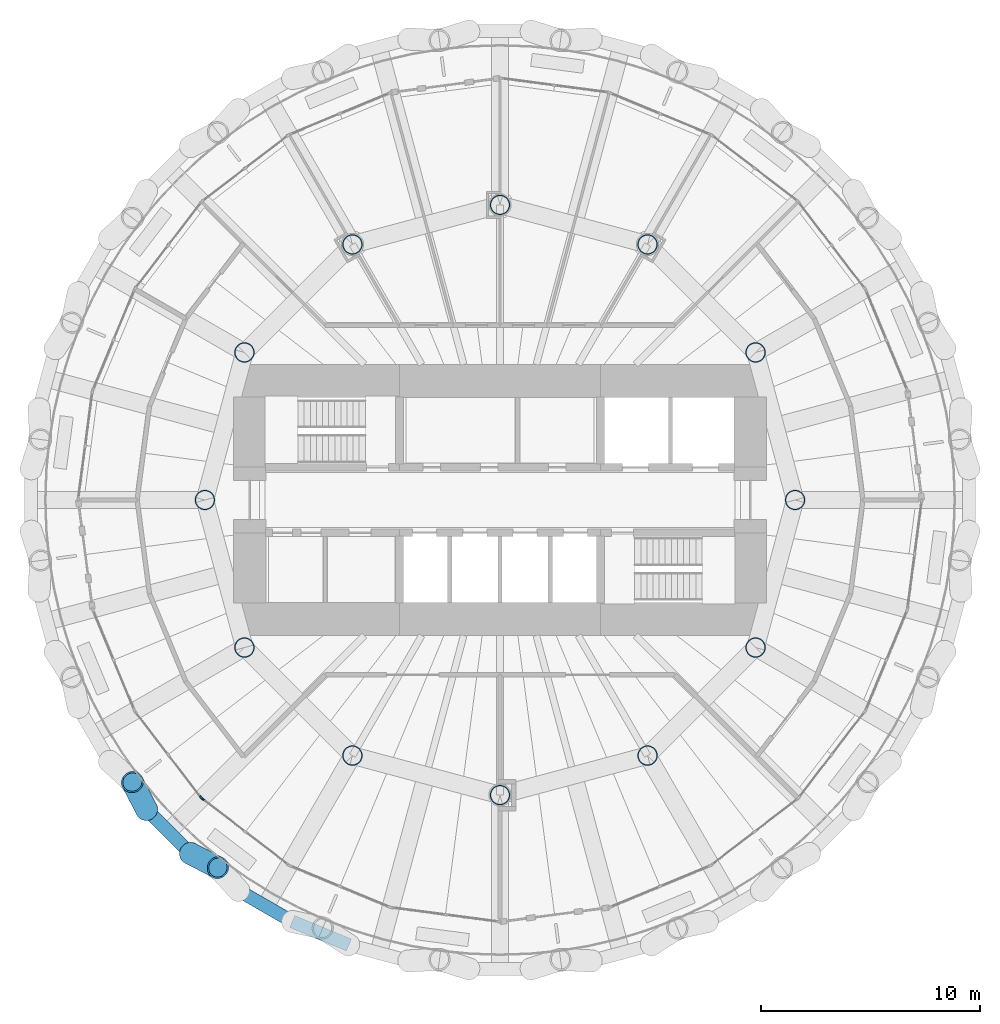
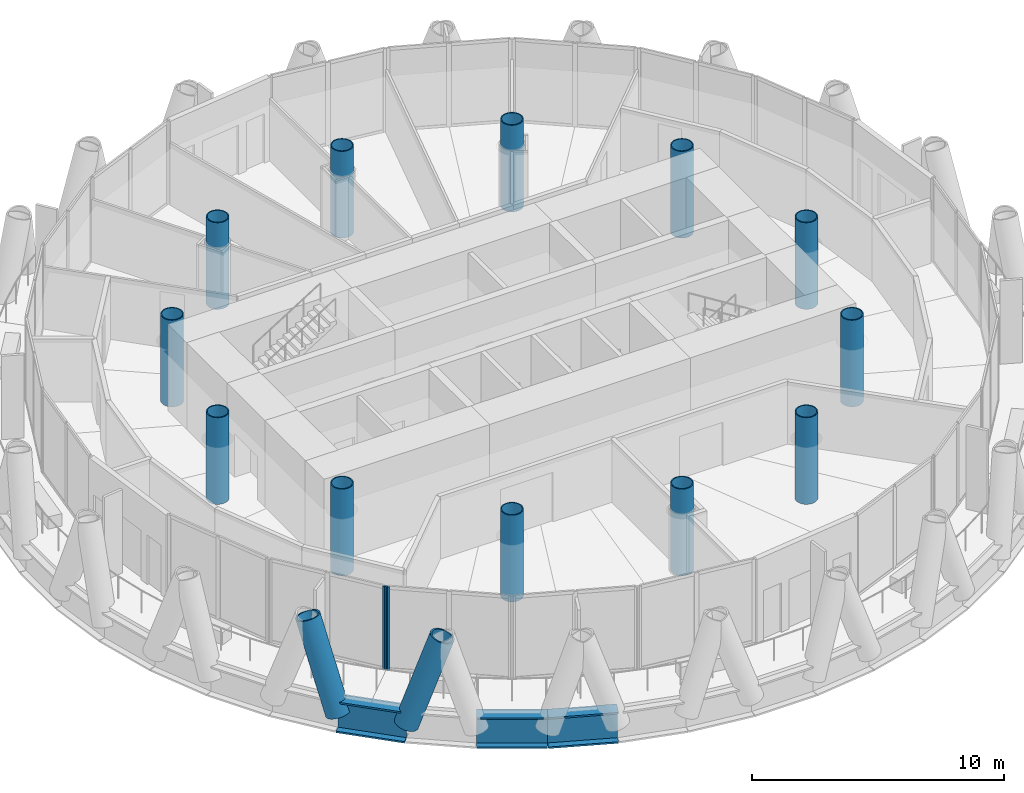
# One storey, part 1 of 15: 12 columns, 4 members, 3 beams, 2 elements without a shape of their own.
"""IFC4 building model written with IfcOpenShell, lengths in metres."""

from ifc_helpers import new_model, si_unit, direction, frame, origin, origin_2d, place, context, subcontext, project, spatial, rectangle, hollow_circle, i_section, extrude, material, material_profile, profile_set, type_object, element, aggregate, save


model = new_model("IFC4")

# Units and contexts
model_context = context("Model", 3, precision=1e-05, world=origin(), true_north=direction((0.0, 1.0)))
body_context = subcontext(model_context, "Body", "Model", "MODEL_VIEW")
ifc_project = project(units=[si_unit("LENGTHUNIT", "METRE"), si_unit("AREAUNIT", "SQUARE_METRE"), si_unit("VOLUMEUNIT", "CUBIC_METRE"), si_unit("PLANEANGLEUNIT", "RADIAN"), si_unit("MASSUNIT", "GRAM", prefix="KILO")], contexts=[model_context])

# Site, building, storey
site_placement = place(None, origin())
site = spatial("IfcSite", under=ifc_project, at=site_placement, CompositionType="ELEMENT")
building_placement = place(site_placement, origin())
building = spatial("IfcBuilding", under=site, at=building_placement, Name="Qaws Media Tower", CompositionType="ELEMENT")
storey_placement = place(building_placement, frame((0.0, 0.0, 265.39990234375)))
storey = spatial("IfcBuildingStorey", under=building, at=storey_placement, Name="L61", CompositionType="ELEMENT", Elevation=265.39990234375)

# Columns
ifc_material_1 = material(Name="Steel S460", Category="steel")
ifc_material_profile_1 = material_profile(ifc_material_1, hollow_circle(Radius=0.45703125, WallThickness=0.044921875, at=origin_2d()), Name="CHS 914x45")
ifc_profile_set_1 = profile_set([ifc_material_profile_1], Name="Steel S460")
column_type = type_object("IfcColumnType", Name="Inner column CHS 914x45", PredefinedType="COLUMN", material=ifc_profile_set_1)
for number, where, z_axis, x_axis, name in (
    (1, (73.5, 50.0, 0.0), (0.0, 0.0, 1.0), (1.0, 0.0, 0.0), "C3 inner column I01 L61"),
    (2, (71.69140625, 56.75, 0.0), (0.0, 0.0, 1.0), (1.0, 0.0, 0.0), "C3 inner column I02 L61"),
    (3, (66.75, 61.69140625, 0.0), (0.0, 0.0, 1.0), (1.0, 0.0, 0.0), "C3 inner column I03 L61"),
    (4, (60.0, 63.5, 0.0), (0.0, 0.0, 1.0), (1.0, 0.0, 0.0), "C3 inner column I04 L61"),
    (5, (53.25, 61.69140625, 0.0), (0.0, 0.0, 1.0), (1.0, 0.0, 0.0), "C3 inner column I05 L61"),
    (6, (48.30859375, 56.75, 0.0), (0.0, 0.0, 1.0), (1.0, 0.0, 0.0), "C3 inner column I06 L61"),
    (7, (46.5, 50.0, 0.0), (0.0, 0.0, 1.0), (1.0, 0.0, 0.0), "C3 inner column I07 L61"),
    (8, (48.30859375, 43.25, 0.0), (0.0, 0.0, 1.0), (1.0, 0.0, 0.0), "C3 inner column I08 L61"),
    (9, (53.25, 38.30859375, 0.0), (0.0, 0.0, 1.0), (1.0, 0.0, 0.0), "C3 inner column I09 L61"),
    (10, (60.0, 36.5, 0.0), (0.0, 0.0, 1.0), (1.0, 0.0, 0.0), "C3 inner column I10 L61"),
    (11, (66.75, 38.30859375, 0.0), (0.0, 0.0, 1.0), (1.0, 0.0, 0.0), "C3 inner column I11 L61"),
    (12, (71.69140625, 43.25, 0.0), (0.0, 0.0, 1.0), (1.0, 0.0, 0.0), "C3 inner column I12 L61"),
):
    element("IfcColumn", number, at=place(storey_placement, frame(where, z_axis=z_axis, x_axis=x_axis)), inside=storey, type_object=column_type, Name=name, PredefinedType="COLUMN", context=body_context, shape_type="SweptSolid", body=[
        extrude(hollow_circle(Radius=0.45703125, WallThickness=0.044921875, at=origin_2d()), origin(), (0.0, 0.0, 1.0), 4.2001953125),
    ])

# Curtain wall, member
ifc_material_2 = material(Name="Aluminium and clear glass", Category="aluminium")
curtain_wall_type = type_object("IfcCurtainWallType", Name="Unitised curtain wall CW-D", PredefinedType="NOTDEFINED", material=ifc_material_2)
curtain_wall_1_placement = place(storey_placement, origin())
curtain_wall_1 = element("IfcCurtainWall", 13, at=curtain_wall_1_placement, inside=storey, type_object=curtain_wall_type, Name="CWD curtain wall L61-15", PredefinedType="NOTDEFINED")
ifc_material_3 = material(Name="Aluminium mullion", Category="aluminium")
ifc_material_profile_2 = material_profile(ifc_material_3, rectangle(XDim=0.080078125, YDim=0.199951171875, at=origin_2d()), Name="80x200")
ifc_profile_set_2 = profile_set([ifc_material_profile_2], Name="Aluminium mullion")
member_type_1 = type_object("IfcMemberType", Name="Curtain wall mullion 80x200", PredefinedType="MULLION", material=ifc_profile_set_2)
member_1_placement = place(storey_placement, frame((46.328369140625, 36.384521484375, 0.0), z_axis=(0.0, 0.0, 1.0), x_axis=(0.79335338924, 0.608761365217, 0.0)))
member_1 = element("IfcMember", 14, at=member_1_placement, type_object=member_type_1, Name="CWD mullion 3", PredefinedType="MULLION", context=body_context, shape_type="SweptSolid", body=[
    extrude(rectangle(XDim=0.080078125, YDim=0.199951171875, at=origin_2d()), origin(), (0.0, 0.0, 1.0), 4.0400390625),
])
aggregate(curtain_wall_1, [member_1])

curtain_wall_2_placement = place(storey_placement, origin())
curtain_wall_2 = element("IfcCurtainWall", 15, at=curtain_wall_2_placement, inside=storey, type_object=curtain_wall_type, Name="CWD curtain wall L61-16", PredefinedType="NOTDEFINED")
member_2_placement = place(storey_placement, frame((46.384521484375, 36.328369140625, 0.0), z_axis=(0.0, 0.0, 1.0), x_axis=(0.608761365217, 0.79335338924, 0.0)))
member_2 = element("IfcMember", 16, at=member_2_placement, type_object=member_type_1, Name="CWD mullion 1", PredefinedType="MULLION", context=body_context, shape_type="SweptSolid", body=[
    extrude(rectangle(XDim=0.080078125, YDim=0.199951171875, at=origin_2d()), origin(), (0.0, 0.0, 1.0), 4.0400390625),
])
aggregate(curtain_wall_2, [member_2])

# Members
ifc_material_4 = material(Name="Steel S460", Category="steel")
ifc_material_profile_3 = material_profile(ifc_material_4, hollow_circle(Radius=0.508056640625, WallThickness=0.070068359375, at=origin_2d()), Name="CHS 1016x70")
ifc_profile_set_3 = profile_set([ifc_material_profile_3], Name="Steel S460")
member_type_2 = type_object("IfcMemberType", Name="Diagrid member CHS 1016x70", PredefinedType="USERDEFINED", material=ifc_profile_set_3)
for number, where, z_axis, x_axis, name in (
    (17, (45.823974609375, 33.83544921875, -0.909912109375), (0.286328025543, -0.147539003744, 0.946704021415), (0.458046599294, 0.888928182068, 0.0), "DG3 diagrid L61 A16"),
    (18, (43.83544921875, 35.823974609375, -0.909912109375), (-0.147539003744, 0.286328025543, 0.946704021415), (-0.888928182068, -0.458046599294, 0.0), "DG3 diagrid L61 B16"),
):
    element("IfcMember", number, at=place(storey_placement, frame(where, z_axis=z_axis, x_axis=x_axis)), inside=storey, type_object=member_type_2, Name=name, ObjectType="DIAGRID", PredefinedType="USERDEFINED", context=body_context, shape_type="SweptSolid", body=[
        extrude(hollow_circle(Radius=0.508056640625, WallThickness=0.070068359375, at=origin_2d()), origin(), (0.0, 0.0, 1.0), 4.436279296875),
    ])

# Beams
ifc_material_5 = material(Name="Steel S460", Category="steel")
ifc_material_profile_4 = material_profile(ifc_material_5, i_section(OverallWidth=0.60009765625, OverallDepth=1.5, WebThickness=0.030029296875, FlangeThickness=0.080078125, at=origin_2d()), Name="PG 1500x600")
ifc_profile_set_4 = profile_set([ifc_material_profile_4], Name="Steel S460")
beam_type = type_object("IfcBeamType", Name="Edge ring beam PG 1500x600", PredefinedType="BEAM", material=ifc_profile_set_4)
for number, where, z_axis, x_axis, name in (
    (19, (43.83544921875, 35.823974609375, -0.909912109375), (0.707106781187, -0.707106781187, 0.0), (0.707106781187, 0.707106781187, 0.0), "RB5 edge ring beam L61-30"),
    (20, (48.05517578125, 32.123291015625, -0.909912109375), (0.866049697453, -0.499957919771, 0.0), (0.499957919771, 0.866049697453, 0.0), "RB5 edge ring beam L61-32"),
):
    element("IfcBeam", number, at=place(storey_placement, frame(where, z_axis=z_axis, x_axis=x_axis)), inside=storey, type_object=beam_type, Name=name, PredefinedType="BEAM", context=body_context, shape_type="SweptSolid", body=[
        extrude(i_section(OverallWidth=0.60009765625, OverallDepth=1.5, WebThickness=0.030029296875, FlangeThickness=0.080078125, at=origin_2d()), origin(), (0.0, 0.0, 1.0), 2.812255859375),
    ])
beam_placement = place(storey_placement, frame((50.49072265625, 30.71728515625, -0.909912109375), z_axis=(0.923894108428, -0.382648241093, 0.0), x_axis=(0.382648241093, 0.923894108428, 0.0)))
element("IfcBeam", 21, at=beam_placement, inside=storey, type_object=beam_type, Name="RB5 edge ring beam L61-33", PredefinedType="BEAM", context=body_context, shape_type="SweptSolid", body=[
    extrude(i_section(OverallWidth=0.60009765625, OverallDepth=1.5, WebThickness=0.030029296875, FlangeThickness=0.080078125, at=origin_2d()), origin(), (0.0, 0.0, 1.0), 2.8125),
])

save(model, "model.ifc")
